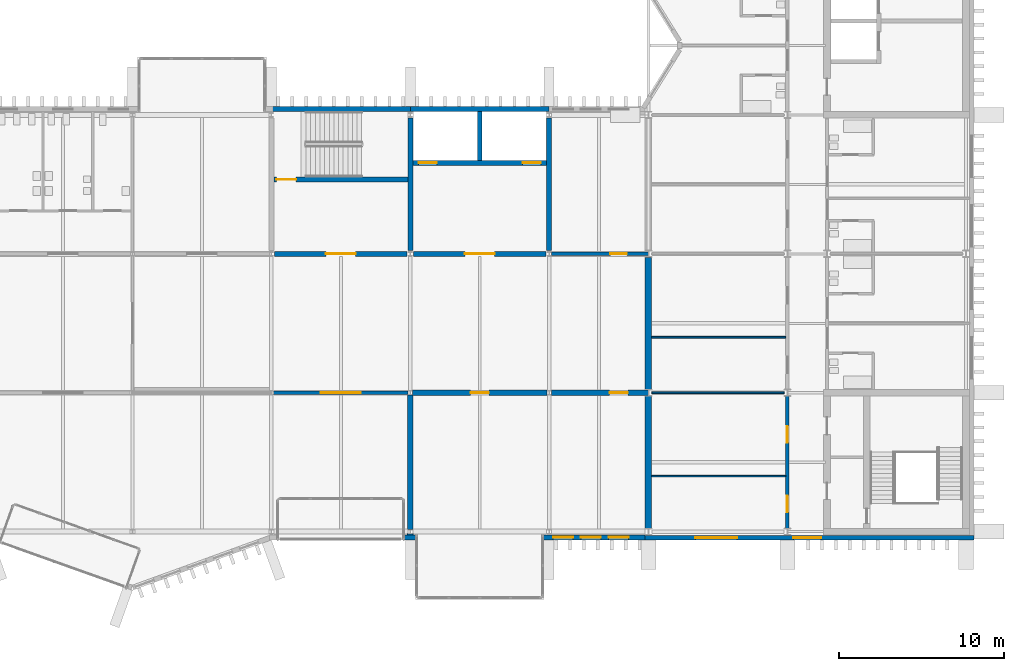
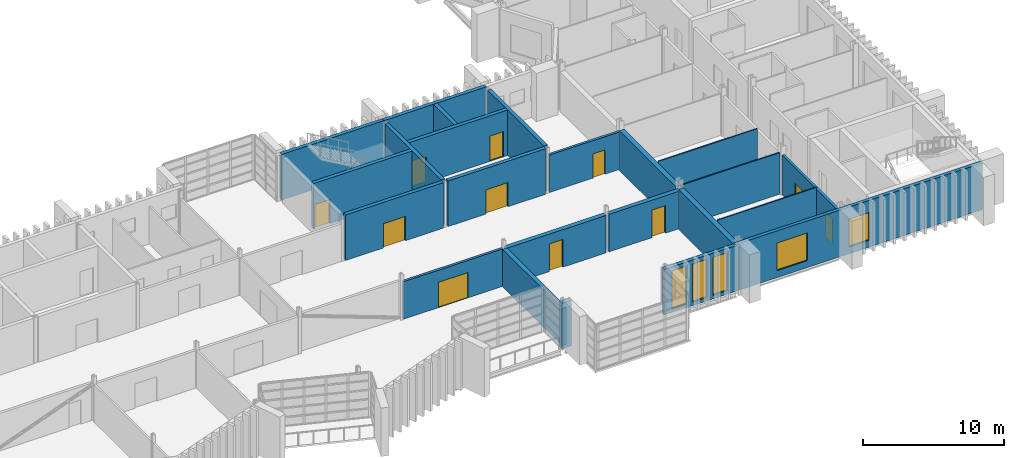
# One storey, part 65 of 88: 24 walls, 11 doors, 5 windows, 16 openings.
"""IFC4 building model written with IfcOpenShell, lengths in metres."""

import ifcopenshell
import ifcopenshell.guid

model = None  # the IFC model being written
_history = None  # IfcOwnerHistory: only IFC2X3 demands one
_inside = {}  # id of a spatial element -> (the spatial element, [elements in it])
_under = {}  # id of a project, library or spatial element -> (it, [spatial elements below it])
_declared = {}  # id of a project -> (the project, [libraries it declares])
_typed = {}  # id of a type object -> (the type object, [elements of that type])
_made_of = {}  # id of a material, layer set ... -> (it, [elements and type objects made of it])


def new_model(schema):
    """Start an empty IFC model of exactly this schema.

    Asked for "IFC4X3", IfcOpenShell would pick the latest addendum, in which some entities
    have other attributes; the version numbers below select the first issue.
    IFC2X3 requires an IfcOwnerHistory on every rooted entity: one is made here for all.
    """
    global model, _history
    if schema == "IFC4X3":
        model = ifcopenshell.file(schema_version=(4, 3, 0, 0))
    else:
        model = ifcopenshell.file(schema=schema)
    _inside.clear()
    _under.clear()
    _declared.clear()
    _typed.clear()
    _made_of.clear()
    _history = None
    if model.schema == "IFC2X3":
        org = make("IfcOrganization", Name="unknown")
        user = make(
            "IfcPersonAndOrganization",
            ThePerson=make("IfcPerson", FamilyName="unknown"),
            TheOrganization=org,
        )
        app = make(
            "IfcApplication",
            ApplicationDeveloper=org,
            Version="unknown",
            ApplicationFullName="unknown",
            ApplicationIdentifier="unknown",
        )
        _history = make(
            "IfcOwnerHistory",
            OwningUser=user,
            OwningApplication=app,
            ChangeAction="ADDED",
            CreationDate=0,
        )
    return model


def make(cls, **values):
    """One entity of the class cls with the attributes given. An attribute that is None is left unset."""
    return model.create_entity(
        cls, **{name: value for name, value in values.items() if value is not None}
    )


def rooted(cls, **values):
    """An entity with a GlobalId (a new one), such as an element, a storey or a relation."""
    return make(cls, GlobalId=ifcopenshell.guid.new(), OwnerHistory=_history, **values)


def si_unit(unit_type, name, prefix=None):
    """IfcSIUnit, for example si_unit("LENGTHUNIT", "METRE", prefix="MILLI")."""
    return make("IfcSIUnit", UnitType=unit_type, Prefix=prefix, Name=name)


def assignment(units):
    """IfcUnitAssignment: the units of a project."""
    return None if units is None else make("IfcUnitAssignment", Units=units)


def point(xyz):
    """IfcCartesianPoint."""
    return None if xyz is None else make("IfcCartesianPoint", Coordinates=xyz)


def direction(xyz):
    """IfcDirection."""
    return None if xyz is None else make("IfcDirection", DirectionRatios=xyz)


def frame(location, z_axis=None, x_axis=None):
    """IfcAxis2Placement3D, a coordinate frame: its origin and axes. An axis left out is left unset."""
    return make(
        "IfcAxis2Placement3D",
        Location=point(location),
        Axis=direction(z_axis),
        RefDirection=direction(x_axis),
    )


def frame_2d(location, x_axis=None):
    """IfcAxis2Placement2D, a coordinate frame in the plane: its origin and x axis."""
    return make(
        "IfcAxis2Placement2D", Location=point(location), RefDirection=direction(x_axis)
    )


def origin():
    """The frame at (0, 0, 0) with its axes left unset."""
    return frame((0.0, 0.0, 0.0))


def place(relative_to, where):
    """IfcLocalPlacement: puts the frame where relative to a parent placement (None: the world)."""
    return make(
        "IfcLocalPlacement", PlacementRelTo=relative_to, RelativePlacement=where
    )


def context(
    kind, dimensions, precision=None, world=None, true_north=None, identifier=None
):
    """IfcGeometricRepresentationContext, for example the 3D "Model" context."""
    return make(
        "IfcGeometricRepresentationContext",
        ContextIdentifier=identifier,
        ContextType=kind,
        CoordinateSpaceDimension=dimensions,
        Precision=precision,
        WorldCoordinateSystem=world,
        TrueNorth=true_north,
    )


def subcontext(parent, identifier, kind, view, scale=None):
    """IfcGeometricRepresentationSubContext, for example "Body" below "Model"."""
    return make(
        "IfcGeometricRepresentationSubContext",
        ContextIdentifier=identifier,
        ContextType=kind,
        ParentContext=parent,
        TargetScale=scale,
        TargetView=view,
    )


def project(units=None, contexts=None):
    """IfcProject with its units and contexts."""
    return rooted(
        "IfcProject",
        Name="project",
        RepresentationContexts=contexts,
        UnitsInContext=assignment(units),
    )


def spatial(cls, under=None, at=None, **own):
    """A site, building, storey or space (cls), placed at a placement, below another one or the project."""
    s = rooted(cls, ObjectPlacement=at, **own)
    if under is not None:
        _under.setdefault(under.id(), (under, []))[1].append(s)
    return s


def profile(cls, at=None, kind="AREA", **sizes):
    """A parametric profile (cls). Its sizes go by their IFC names, for example OverallWidth=200.0."""
    return make(cls, ProfileType=kind, Position=at, **sizes)


def rectangle(**sizes):
    """IfcRectangleProfileDef."""
    return profile("IfcRectangleProfileDef", **sizes)


def extrude(swept, where, along, depth):
    """IfcExtrudedAreaSolid: the profile swept, set in the frame where, extruded along a direction by depth."""
    return make(
        "IfcExtrudedAreaSolid",
        SweptArea=swept,
        Position=where,
        ExtrudedDirection=direction(along),
        Depth=depth,
    )


def shape(context_of_items, identifier, shape_type, items):
    """IfcShapeRepresentation: the items that make up one representation, for example the "Body"."""
    return make(
        "IfcShapeRepresentation",
        ContextOfItems=context_of_items,
        RepresentationIdentifier=identifier,
        RepresentationType=shape_type,
        Items=items,
    )


def material(Name=None, Category=None):
    """IfcMaterial."""
    return make("IfcMaterial", Name=Name, Category=Category)


def layer(
    of_material, thickness, ventilated=None, Name=None, Category=None, Priority=None
):
    """IfcMaterialLayer: one layer of a wall or slab, of a material (None: an air gap)."""
    return make(
        "IfcMaterialLayer",
        Material=of_material,
        LayerThickness=thickness,
        IsVentilated=ventilated,
        Name=Name,
        Category=Category,
        Priority=Priority,
    )


def layer_set(layers, Name=None):
    """IfcMaterialLayerSet."""
    return make("IfcMaterialLayerSet", MaterialLayers=layers, LayerSetName=Name)


def made_of(thing, what):
    """Note that an element or type object is made of a material, layer set ...; save() writes the relation."""
    if what is not None:
        _made_of.setdefault(what.id(), (what, []))[1].append(thing)
    return thing


def type_object(cls, material=None, **own):
    """A type object (cls), such as IfcWallType, which elements share."""
    return made_of(rooted(cls, **own), material)


def element(
    cls,
    number,
    at=None,
    inside=None,
    cuts=None,
    type_object=None,
    material=None,
    context=None,
    identifier="Body",
    shape_type=None,
    held_by="IfcProductDefinitionShape",
    body=None,
    shapes=None,
    **own,
):
    """One element of the class cls, such as IfcWall. Its Tag is "e" and its number.

    at: its placement. inside: the storey or other place that contains it. cuts: it is an
    opening in that element (IfcRelVoidsElement). A single representation is given by context,
    identifier, shape_type and body (its items); several are given by shapes. held_by: the class
    of the entity that holds the representations. save() writes the other relations.
    """
    e = rooted(cls, Tag="e%d" % number, ObjectPlacement=at, **own)
    if body is not None:
        shapes = [shape(context, identifier, shape_type, body)]
    if shapes is not None:
        e.Representation = make(held_by, Representations=shapes)
    if inside is not None:
        _inside.setdefault(inside.id(), (inside, []))[1].append(e)
    if cuts is not None:
        rooted(
            "IfcRelVoidsElement", RelatingBuildingElement=cuts, RelatedOpeningElement=e
        )
    if type_object is not None:
        _typed.setdefault(type_object.id(), (type_object, []))[1].append(e)
    return made_of(e, material)


def fill(opening, filler):
    """IfcRelFillsElement: the door or window that sits in an opening."""
    return rooted(
        "IfcRelFillsElement",
        RelatingOpeningElement=opening,
        RelatedBuildingElement=filler,
    )


def aggregate(whole, parts):
    """IfcRelAggregates: a whole, such as a stair, and the parts it consists of."""
    return rooted("IfcRelAggregates", RelatingObject=whole, RelatedObjects=parts)


def save(model, path):
    """Write the relations noted so far, then the file.

    IfcRelAggregates (storeys below a building ...), IfcRelContainedInSpatialStructure (elements
    in a storey), IfcRelDefinesByType, IfcRelAssociatesMaterial and IfcRelDeclares: one each for
    every whole, place, type object, material and project.
    """
    for whole, parts in _under.values():
        aggregate(whole, parts)
    for where, things in _inside.values():
        rooted(
            "IfcRelContainedInSpatialStructure",
            RelatedElements=things,
            RelatingStructure=where,
        )
    for kind, things in _typed.values():
        rooted("IfcRelDefinesByType", RelatedObjects=things, RelatingType=kind)
    for what, things in _made_of.values():
        rooted("IfcRelAssociatesMaterial", RelatedObjects=things, RelatingMaterial=what)
    for by, libraries in _declared.values():
        rooted("IfcRelDeclares", RelatingContext=by, RelatedDefinitions=libraries)
    model.write(path)


model = new_model("IFC4")

# Units and contexts
model_context = context("Model", 3, precision=1e-05, world=origin(), true_north=direction((0.0, 1.0)))
body_context = subcontext(model_context, "Body", "Model", "MODEL_VIEW")
ifc_project = project(units=[si_unit("LENGTHUNIT", "METRE"), si_unit("AREAUNIT", "SQUARE_METRE"), si_unit("VOLUMEUNIT", "CUBIC_METRE"), si_unit("PLANEANGLEUNIT", "RADIAN"), si_unit("MASSUNIT", "GRAM", prefix="KILO")], contexts=[model_context])

# Site, building, storey
site_placement = place(None, origin())
site = spatial("IfcSite", under=ifc_project, at=site_placement, CompositionType="ELEMENT")
building_placement = place(site_placement, origin())
building = spatial("IfcBuilding", under=site, at=building_placement, Name="Cresset Court Congress Hotel", CompositionType="ELEMENT")
storey_placement = place(building_placement, frame((0.0, 0.0, 14.39990234375)))
storey = spatial("IfcBuildingStorey", under=building, at=storey_placement, Name="L03", CompositionType="ELEMENT", Elevation=14.39990234375)

# Wall, opening, door
ifc_material_1 = material(Name="Double gypsum board leaves on steel studs with mineral wool", Category="steel")
ifc_layer_1 = layer(ifc_material_1, 0.35009765625)
ifc_layer_set_1 = layer_set([ifc_layer_1], Name="Acoustic double-leaf boardroom wall 350")
wall_type_1 = type_object("IfcWallType", Name="Acoustic double-leaf boardroom wall 350", PredefinedType="PARTITIONING", material=ifc_layer_set_1)
wall_1_placement = place(storey_placement, frame((142.925048828125, 8.39990234375, 0.0), z_axis=(0.0, 0.0, 1.0), x_axis=(1.0, 0.0, 0.0)))
wall_1 = element("IfcWall", 1, at=wall_1_placement, inside=storey, type_object=wall_type_1, Name="Boardroom acoustic wall", PredefinedType="PARTITIONING", context=body_context, shape_type="SweptSolid", body=[
    extrude(rectangle(XDim=8.14990234375, YDim=0.35009765625, at=frame_2d((4.074951171875, 0.0))), origin(), (0.0, 0.0, 1.0), 3.25),
])
opening_1_placement = place(wall_1_placement, frame((3.52490234375, 0.0, 0.0)))
opening_1 = element("IfcOpeningElement", 2, at=opening_1_placement, cuts=wall_1, Name="Opening DB-03-15", PredefinedType="OPENING", context=body_context, shape_type="SweptSolid", body=[
    extrude(rectangle(XDim=1.10009765625, YDim=2.39990234375, at=frame_2d((0.550048828125, 1.199951171875))), frame((0.0, 0.18505859375, 0.0), z_axis=(0.0, -1.0, 0.0), x_axis=(1.0, 0.0, 0.0)), (0.0, 0.0, 1.0), 0.3701171875),
])
ifc_material_2 = material(Name="Solid-core timber with acoustic seals", Category="wood")
door_type_1 = type_object("IfcDoorType", Name="Boardroom acoustic door FD30 1100x2400", OperationType="SINGLE_SWING_LEFT", PredefinedType="DOOR", material=ifc_material_2)
door_1_placement = place(opening_1_placement, origin())
door_1 = element("IfcDoor", 3, at=door_1_placement, inside=storey, type_object=door_type_1, Name="Boardroom door", OperationType="SINGLE_SWING_LEFT", OverallHeight=2.39990234375, OverallWidth=1.10009765625, PredefinedType="DOOR", context=body_context, shape_type="SweptSolid", body=[
    extrude(rectangle(XDim=1.10009765625, YDim=2.39990234375, at=frame_2d((0.550048828125, 1.199951171875))), frame((0.0, 0.02490234375, 0.0), z_axis=(0.0, -1.0, 0.0), x_axis=(1.0, 0.0, 0.0)), (0.0, 0.0, 1.0), 0.050048828125),
])
fill(opening_1, door_1)

wall_2_placement = place(storey_placement, frame((151.324951171875, 8.39990234375, 0.0), z_axis=(0.0, 0.0, 1.0), x_axis=(1.0, 0.0, 0.0)))
wall_2 = element("IfcWall", 4, at=wall_2_placement, inside=storey, type_object=wall_type_1, Name="Boardroom acoustic wall", PredefinedType="PARTITIONING", context=body_context, shape_type="SweptSolid", body=[
    extrude(rectangle(XDim=5.875, YDim=0.35009765625, at=frame_2d((2.9375, 0.0))), origin(), (0.0, 0.0, 1.0), 3.25),
])
opening_2_placement = place(wall_2_placement, frame((3.52490234375, 0.0, 0.0)))
opening_2 = element("IfcOpeningElement", 5, at=opening_2_placement, cuts=wall_2, Name="Opening DB-03-16", PredefinedType="OPENING", context=body_context, shape_type="SweptSolid", body=[
    extrude(rectangle(XDim=1.10009765625, YDim=2.39990234375, at=frame_2d((0.550048828125, 1.199951171875))), frame((0.0, 0.18505859375, 0.0), z_axis=(0.0, -1.0, 0.0), x_axis=(1.0, 0.0, 0.0)), (0.0, 0.0, 1.0), 0.3701171875),
])
door_2_placement = place(opening_2_placement, origin())
door_2 = element("IfcDoor", 6, at=door_2_placement, inside=storey, type_object=door_type_1, Name="Boardroom door", OperationType="SINGLE_SWING_LEFT", OverallHeight=2.39990234375, OverallWidth=1.10009765625, PredefinedType="DOOR", context=body_context, shape_type="SweptSolid", body=[
    extrude(rectangle(XDim=1.10009765625, YDim=2.39990234375, at=frame_2d((0.550048828125, 1.199951171875))), frame((0.0, 0.02490234375, 0.0), z_axis=(0.0, -1.0, 0.0), x_axis=(1.0, 0.0, 0.0)), (0.0, 0.0, 1.0), 0.050048828125),
])
fill(opening_2, door_2)

# Walls
wall_3_placement = place(storey_placement, frame((142.800048828125, -0.199951171875, 0.0), z_axis=(0.0, 0.0, 1.0), x_axis=(0.0, 1.0, 0.0)))
element("IfcWall", 7, at=wall_3_placement, inside=storey, type_object=wall_type_1, Name="Boardroom acoustic wall", PredefinedType="PARTITIONING", context=body_context, shape_type="SweptSolid", body=[
    extrude(rectangle(XDim=0.074951171875, YDim=0.35009765625, at=frame_2d((0.03759765625, 0.0))), origin(), (0.0, 0.0, 1.0), 3.25),
])
wall_4_placement = place(storey_placement, frame((142.800048828125, 0.125, 0.0), z_axis=(0.0, 0.0, 1.0), x_axis=(0.0, 1.0, 0.0)))
element("IfcWall", 8, at=wall_4_placement, inside=storey, type_object=wall_type_1, Name="Boardroom acoustic wall", PredefinedType="PARTITIONING", context=body_context, shape_type="SweptSolid", body=[
    extrude(rectangle(XDim=8.14990234375, YDim=0.35009765625, at=frame_2d((4.074951171875, 0.0))), origin(), (0.0, 0.0, 1.0), 3.25),
])
ifc_material_3 = material(Name="Concrete C50", Category="concrete")
ifc_layer_2 = layer(ifc_material_3, 0.300048828125)
ifc_layer_set_2 = layer_set([ifc_layer_2], Name="Core wall 300 Concrete C50")
wall_type_2 = type_object("IfcWallType", Name="Core wall 300 Concrete C50", PredefinedType="SHEAR", material=ifc_layer_set_2)
for number, where, z_axis, x_axis, name in (
    (9, (142.800048828125, 17.0, 0.0), (0.0, 0.0, 1.0), (0.0, 1.0, 0.0), "Core wall LC-B3"),
    (10, (151.199951171875, 17.0, 0.0), (0.0, 0.0, 1.0), (0.0, 1.0, 0.0), "Core wall LC-B3"),
):
    element("IfcWall", number, at=place(storey_placement, frame(where, z_axis=z_axis, x_axis=x_axis)), inside=storey, type_object=wall_type_2, Name=name, PredefinedType="SHEAR", context=body_context, shape_type="SweptSolid", body=[
        extrude(rectangle(XDim=8.0, YDim=0.300048828125, at=frame_2d((4.0, 0.0))), origin(), (0.0, 0.0, 1.0), 3.9501953125),
    ])

# Wall, opening, door
wall_5_placement = place(storey_placement, frame((143.0, 16.800048828125, 0.0), z_axis=(0.0, 0.0, 1.0), x_axis=(1.0, 0.0, 0.0)))
wall_5 = element("IfcWall", 11, at=wall_5_placement, inside=storey, type_object=wall_type_2, Name="Core wall LC-B3", PredefinedType="SHEAR", context=body_context, shape_type="SweptSolid", body=[
    extrude(rectangle(XDim=8.0, YDim=0.300048828125, at=frame_2d((4.0, 0.0))), origin(), (0.0, 0.0, 1.0), 3.9501953125),
])
opening_3_placement = place(wall_5_placement, frame((3.10009765625, 0.0, 0.0)))
opening_3 = element("IfcOpeningElement", 12, at=opening_3_placement, cuts=wall_5, Name="Opening DB-03-41", PredefinedType="OPENING", context=body_context, shape_type="SweptSolid", body=[
    extrude(rectangle(XDim=1.800048828125, YDim=2.10009765625, at=frame_2d((0.89990234375, 1.050048828125))), frame((0.0, 0.159912109375, 0.0), z_axis=(0.0, -1.0, 0.0), x_axis=(1.0, 0.0, 0.0)), (0.0, 0.0, 1.0), 0.320068359375),
])
ifc_material_4 = material(Name="Timber and steel frame", Category="steel")
door_type_2 = type_object("IfcDoorType", Name="Lobby fire door FD60 double 1800x2100", OperationType="DOUBLE_DOOR_SINGLE_SWING", PredefinedType="DOOR", material=ifc_material_4)
door_3_placement = place(opening_3_placement, origin())
door_3 = element("IfcDoor", 13, at=door_3_placement, inside=storey, type_object=door_type_2, Name="Lift lobby door LC-B3", OperationType="DOUBLE_DOOR_SINGLE_SWING", OverallHeight=2.10009765625, OverallWidth=1.800048828125, PredefinedType="DOOR", context=body_context, shape_type="SweptSolid", body=[
    extrude(rectangle(XDim=1.800048828125, YDim=2.10009765625, at=frame_2d((0.89990234375, 1.050048828125))), frame((0.0, 0.02490234375, 0.0), z_axis=(0.0, -1.0, 0.0), x_axis=(1.0, 0.0, 0.0)), (0.0, 0.0, 1.0), 0.050048828125),
])
fill(opening_3, door_3)

# Wall, openings, doors
wall_6_placement = place(storey_placement, frame((142.949951171875, 22.300048828125, 0.0), z_axis=(0.0, 0.0, 1.0), x_axis=(1.0, 0.0, 0.0)))
wall_6 = element("IfcWall", 14, at=wall_6_placement, inside=storey, type_object=wall_type_2, Name="Core wall LC-B3", PredefinedType="SHEAR", context=body_context, shape_type="SweptSolid", body=[
    extrude(rectangle(XDim=8.10009765625, YDim=0.300048828125, at=frame_2d((4.050048828125, 0.0))), origin(), (0.0, 0.0, 1.0), 3.9501953125),
])
opening_4_placement = place(wall_6_placement, frame((0.35009765625, 0.0, 0.0)))
opening_4 = element("IfcOpeningElement", 15, at=opening_4_placement, cuts=wall_6, Name="Opening LD-B3-09", PredefinedType="OPENING", context=body_context, shape_type="SweptSolid", body=[
    extrude(rectangle(XDim=1.10009765625, YDim=2.199951171875, at=frame_2d((0.550048828125, 1.10009765625))), frame((0.0, 0.159912109375, 0.0), z_axis=(0.0, -1.0, 0.0), x_axis=(1.0, 0.0, 0.0)), (0.0, 0.0, 1.0), 0.320068359375),
])
opening_5_placement = place(wall_6_placement, frame((6.64990234375, 0.0, 0.0)))
opening_5 = element("IfcOpeningElement", 16, at=opening_5_placement, cuts=wall_6, Name="Opening LD-B3-10", PredefinedType="OPENING", context=body_context, shape_type="SweptSolid", body=[
    extrude(rectangle(XDim=1.10009765625, YDim=2.199951171875, at=frame_2d((0.550048828125, 1.10009765625))), frame((0.0, 0.159912109375, 0.0), z_axis=(0.0, -1.0, 0.0), x_axis=(1.0, 0.0, 0.0)), (0.0, 0.0, 1.0), 0.320068359375),
])
ifc_material_5 = material(Name="Stainless steel", Category="steel")
door_type_3 = type_object("IfcDoorType", Name="Lift landing door sliding 1100x2200", OperationType="SLIDING_TO_LEFT", PredefinedType="DOOR", material=ifc_material_5)
door_4_placement = place(opening_4_placement, origin())
door_4 = element("IfcDoor", 17, at=door_4_placement, inside=storey, type_object=door_type_3, Name="Lift landing door LD-B3-09", OperationType="SLIDING_TO_LEFT", OverallHeight=2.199951171875, OverallWidth=1.10009765625, PredefinedType="DOOR", context=body_context, shape_type="SweptSolid", body=[
    extrude(rectangle(XDim=1.10009765625, YDim=2.199951171875, at=frame_2d((0.550048828125, 1.10009765625))), frame((0.0, 0.02490234375, 0.0), z_axis=(0.0, -1.0, 0.0), x_axis=(1.0, 0.0, 0.0)), (0.0, 0.0, 1.0), 0.050048828125),
])
fill(opening_4, door_4)
door_5_placement = place(opening_5_placement, origin())
door_5 = element("IfcDoor", 18, at=door_5_placement, inside=storey, type_object=door_type_3, Name="Lift landing door LD-B3-10", OperationType="SLIDING_TO_LEFT", OverallHeight=2.199951171875, OverallWidth=1.10009765625, PredefinedType="DOOR", context=body_context, shape_type="SweptSolid", body=[
    extrude(rectangle(XDim=1.10009765625, YDim=2.199951171875, at=frame_2d((0.550048828125, 1.10009765625))), frame((0.0, 0.02490234375, 0.0), z_axis=(0.0, -1.0, 0.0), x_axis=(1.0, 0.0, 0.0)), (0.0, 0.0, 1.0), 0.050048828125),
])
fill(opening_5, door_5)

# Wall
wall_7_placement = place(storey_placement, frame((147.0, 22.449951171875, 0.0), z_axis=(0.0, 0.0, 1.0), x_axis=(0.0, 1.0, 0.0)))
element("IfcWall", 19, at=wall_7_placement, inside=storey, type_object=wall_type_2, Name="Core wall LC-B3", PredefinedType="SHEAR", context=body_context, shape_type="SweptSolid", body=[
    extrude(rectangle(XDim=2.949951171875, YDim=0.300048828125, at=frame_2d((1.47509765625, 0.0))), origin(), (0.0, 0.0, 1.0), 3.9501953125),
])

# Wall, opening, door
wall_8_placement = place(storey_placement, frame((134.60009765625, 16.800048828125, 0.0), z_axis=(0.0, 0.0, 1.0), x_axis=(1.0, 0.0, 0.0)))
wall_8 = element("IfcWall", 20, at=wall_8_placement, inside=storey, type_object=wall_type_2, Name="Core wall ST-B5", PredefinedType="SHEAR", context=body_context, shape_type="SweptSolid", body=[
    extrude(rectangle(XDim=8.0, YDim=0.300048828125, at=frame_2d((4.0, 0.0))), origin(), (0.0, 0.0, 1.0), 3.9501953125),
])
opening_6_placement = place(wall_8_placement, frame((3.10009765625, 0.0, 0.0)))
opening_6 = element("IfcOpeningElement", 21, at=opening_6_placement, cuts=wall_8, Name="Opening DB-03-53", PredefinedType="OPENING", context=body_context, shape_type="SweptSolid", body=[
    extrude(rectangle(XDim=1.800048828125, YDim=2.10009765625, at=frame_2d((0.89990234375, 1.050048828125))), frame((0.0, 0.159912109375, 0.0), z_axis=(0.0, -1.0, 0.0), x_axis=(1.0, 0.0, 0.0)), (0.0, 0.0, 1.0), 0.320068359375),
])
door_6_placement = place(opening_6_placement, origin())
door_6 = element("IfcDoor", 22, at=door_6_placement, inside=storey, type_object=door_type_2, Name="Stair lobby door ST-B5", OperationType="DOUBLE_DOOR_SINGLE_SWING", OverallHeight=2.10009765625, OverallWidth=1.800048828125, PredefinedType="DOOR", context=body_context, shape_type="SweptSolid", body=[
    extrude(rectangle(XDim=1.800048828125, YDim=2.10009765625, at=frame_2d((0.89990234375, 1.050048828125))), frame((0.0, 0.02490234375, 0.0), z_axis=(0.0, -1.0, 0.0), x_axis=(1.0, 0.0, 0.0)), (0.0, 0.0, 1.0), 0.050048828125),
])
fill(opening_6, door_6)

wall_9_placement = place(storey_placement, frame((134.550048828125, 21.300048828125, 0.0), z_axis=(0.0, 0.0, 1.0), x_axis=(1.0, 0.0, 0.0)))
wall_9 = element("IfcWall", 23, at=wall_9_placement, inside=storey, type_object=wall_type_2, Name="Core wall ST-B5", PredefinedType="SHEAR", context=body_context, shape_type="SweptSolid", body=[
    extrude(rectangle(XDim=8.099853515625, YDim=0.300048828125, at=frame_2d((4.0498046875, 0.0))), origin(), (0.0, 0.0, 1.0), 3.9501953125),
])
opening_7_placement = place(wall_9_placement, frame((0.14990234375, 0.0, 0.0)))
opening_7 = element("IfcOpeningElement", 24, at=opening_7_placement, cuts=wall_9, Name="Opening DB-03-52", PredefinedType="OPENING", context=body_context, shape_type="SweptSolid", body=[
    extrude(rectangle(XDim=1.199951171875, YDim=2.10009765625, at=frame_2d((0.60009765625, 1.050048828125))), frame((0.0, 0.159912109375, 0.0), z_axis=(0.0, -1.0, 0.0), x_axis=(1.0, 0.0, 0.0)), (0.0, 0.0, 1.0), 0.320068359375),
])
ifc_material_6 = material(Name="Timber and steel frame", Category="steel")
door_type_4 = type_object("IfcDoorType", Name="Stair fire door FD60 1200x2100", OperationType="SINGLE_SWING_LEFT", PredefinedType="DOOR", material=ifc_material_6)
door_7_placement = place(opening_7_placement, origin())
door_7 = element("IfcDoor", 25, at=door_7_placement, inside=storey, type_object=door_type_4, Name="Stair door ST-B5", OperationType="SINGLE_SWING_LEFT", OverallHeight=2.10009765625, OverallWidth=1.199951171875, PredefinedType="DOOR", context=body_context, shape_type="SweptSolid", body=[
    extrude(rectangle(XDim=1.199951171875, YDim=2.10009765625, at=frame_2d((0.60009765625, 1.050048828125))), frame((0.0, 0.02490234375, 0.0), z_axis=(0.0, -1.0, 0.0), x_axis=(1.0, 0.0, 0.0)), (0.0, 0.0, 1.0), 0.050048828125),
])
fill(opening_7, door_7)

# Walls
ifc_material_7 = material(Name="Concrete C50", Category="concrete")
ifc_layer_3 = layer(ifc_material_7, 0.300048828125)
ifc_layer_set_3 = layer_set([ifc_layer_3], Name="Core wall 300 Concrete C50 external")
wall_type_3 = type_object("IfcWallType", Name="Core wall 300 Concrete C50 external", PredefinedType="SHEAR", material=ifc_layer_set_3)
wall_10_placement = place(storey_placement, frame((142.800048828125, 25.550048828125, 0.0), z_axis=(0.0, 0.0, 1.0), x_axis=(1.0, 0.0, 0.0)))
element("IfcWall", 26, at=wall_10_placement, inside=storey, type_object=wall_type_3, Name="Core wall LC-B3", PredefinedType="SHEAR", context=body_context, shape_type="SweptSolid", body=[
    extrude(rectangle(XDim=8.39990234375, YDim=0.300048828125, at=frame_2d((4.199951171875, 0.0))), origin(), (0.0, 0.0, 1.0), 3.9501953125),
])
wall_11_placement = place(storey_placement, frame((134.39990234375, 25.550048828125, 0.0), z_axis=(0.0, 0.0, 1.0), x_axis=(1.0, 0.0, 0.0)))
element("IfcWall", 27, at=wall_11_placement, inside=storey, type_object=wall_type_3, Name="Core wall ST-B5", PredefinedType="SHEAR", context=body_context, shape_type="SweptSolid", body=[
    extrude(rectangle(XDim=8.400146484375, YDim=0.300048828125, at=frame_2d((4.2001953125, 0.0))), origin(), (0.0, 0.0, 1.0), 3.9501953125),
])

# Wall, openings, doors
ifc_material_8 = material(Name="Gypsum board partition")
ifc_layer_4 = layer(ifc_material_8, 0.199951171875)
ifc_layer_set_4 = layer_set([ifc_layer_4], Name="Corridor wall 200")
wall_type_4 = type_object("IfcWallType", Name="Corridor wall 200", PredefinedType="PARTITIONING", material=ifc_layer_set_4)
wall_12_placement = place(storey_placement, frame((165.60009765625, 0.20703125, 0.0), z_axis=(0.0, 0.0, 1.0), x_axis=(0.0, 1.0, 0.0)))
wall_12 = element("IfcWall", 28, at=wall_12_placement, inside=storey, type_object=wall_type_4, Name="A.wl.L03.061", PredefinedType="PARTITIONING", context=body_context, shape_type="SweptSolid", body=[
    extrude(rectangle(XDim=7.986083984375, YDim=0.199951171875, at=frame_2d((3.9931640625, 0.0))), origin(), (0.0, 0.0, 1.0), 3.4501953125),
])
opening_8_placement = place(wall_12_placement, frame((0.972900390625, 0.0, 0.0)))
opening_8 = element("IfcOpeningElement", 29, at=opening_8_placement, cuts=wall_12, Name="Opening DA-03-01", PredefinedType="OPENING", context=body_context, shape_type="SweptSolid", body=[
    extrude(rectangle(XDim=1.0, YDim=2.10009765625, at=frame_2d((0.5, 1.050048828125))), frame((0.0, 0.10986328125, 0.0), z_axis=(0.0, -1.0, 0.0), x_axis=(1.0, 0.0, 0.0)), (0.0, 0.0, 1.0), 0.219970703125),
])
opening_9_placement = place(wall_12_placement, frame((5.173095703125, 0.0, 0.0)))
opening_9 = element("IfcOpeningElement", 30, at=opening_9_placement, cuts=wall_12, Name="Opening DA-03-02", PredefinedType="OPENING", context=body_context, shape_type="SweptSolid", body=[
    extrude(rectangle(XDim=1.0, YDim=2.10009765625, at=frame_2d((0.5, 1.050048828125))), frame((0.0, 0.10986328125, 0.0), z_axis=(0.0, -1.0, 0.0), x_axis=(1.0, 0.0, 0.0)), (0.0, 0.0, 1.0), 0.219970703125),
])
ifc_material_9 = material(Name="timber", Category="wood")
door_type_5 = type_object("IfcDoorType", Name="Meeting-room door 1000x2100 FD90", OperationType="SINGLE_SWING_LEFT", PredefinedType="DOOR", material=ifc_material_9)
door_8_placement = place(opening_8_placement, origin())
door_8 = element("IfcDoor", 31, at=door_8_placement, inside=storey, type_object=door_type_5, Name="Door DA-03-01", OperationType="SINGLE_SWING_LEFT", OverallHeight=2.10009765625, OverallWidth=1.0, PredefinedType="DOOR", context=body_context, shape_type="SweptSolid", body=[
    extrude(rectangle(XDim=1.0, YDim=2.10009765625, at=frame_2d((0.5, 1.050048828125))), frame((0.0, 0.02490234375, 0.0), z_axis=(0.0, -1.0, 0.0), x_axis=(1.0, 0.0, 0.0)), (0.0, 0.0, 1.0), 0.050048828125),
])
fill(opening_8, door_8)
door_9_placement = place(opening_9_placement, origin())
door_9 = element("IfcDoor", 32, at=door_9_placement, inside=storey, type_object=door_type_5, Name="Door DA-03-02", OperationType="SINGLE_SWING_RIGHT", OverallHeight=2.10009765625, OverallWidth=1.0, PredefinedType="DOOR", context=body_context, shape_type="SweptSolid", body=[
    extrude(rectangle(XDim=1.0, YDim=2.10009765625, at=frame_2d((0.5, 1.050048828125))), frame((0.0, 0.02490234375, 0.0), z_axis=(0.0, -1.0, 0.0), x_axis=(1.0, 0.0, 0.0)), (0.0, 0.0, 1.0), 0.050048828125),
])
fill(opening_9, door_9)

# Wall
ifc_material_10 = material(Name="Concrete C40", Category="concrete")
ifc_layer_5 = layer(ifc_material_10, 0.300048828125)
ifc_layer_set_5 = layer_set([ifc_layer_5], Name="External wall 300 Concrete C40")
wall_type_5 = type_object("IfcWallType", Name="External wall 300 Concrete C40", PredefinedType="SOLIDWALL", material=ifc_layer_set_5)
wall_13_placement = place(storey_placement, frame((142.39990234375, -0.35009765625, 0.0), z_axis=(0.0, 0.0, 1.0), x_axis=(1.0, 0.0, 0.0)))
element("IfcWall", 33, at=wall_13_placement, inside=storey, type_object=wall_type_5, Name="External wall", PredefinedType="SOLIDWALL", context=body_context, shape_type="SweptSolid", body=[
    extrude(rectangle(XDim=0.800048828125, YDim=0.300048828125, at=frame_2d((0.39990234375, 0.0))), origin(), (0.0, 0.0, 1.0), 3.9501953125),
])

# Wall, openings, windows
wall_14_placement = place(storey_placement, frame((150.800048828125, -0.35009765625, 0.0), z_axis=(0.0, 0.0, 1.0), x_axis=(1.0, 0.0, 0.0)))
wall_14 = element("IfcWall", 34, at=wall_14_placement, inside=storey, type_object=wall_type_5, Name="External wall", PredefinedType="SOLIDWALL", context=body_context, shape_type="SweptSolid", body=[
    extrude(rectangle(XDim=6.199951171875, YDim=0.300048828125, at=frame_2d((3.10009765625, 0.0))), origin(), (0.0, 0.0, 1.0), 3.9501953125),
])
opening_10_placement = place(wall_14_placement, frame((0.639892578125, 0.0, 0.300048828125)))
opening_10 = element("IfcOpeningElement", 35, at=opening_10_placement, cuts=wall_14, Name="Opening NB-03-11", PredefinedType="OPENING", context=body_context, shape_type="SweptSolid", body=[
    extrude(rectangle(XDim=1.199951171875, YDim=3.300048828125, at=frame_2d((0.60009765625, 1.64990234375))), frame((0.0, 0.159912109375, 0.0), z_axis=(0.0, -1.0, 0.0), x_axis=(1.0, 0.0, 0.0)), (0.0, 0.0, 1.0), 0.320068359375),
])
opening_11_placement = place(wall_14_placement, frame((2.320068359375, 0.0, 0.300048828125)))
opening_11 = element("IfcOpeningElement", 36, at=opening_11_placement, cuts=wall_14, Name="Opening NB-03-12", PredefinedType="OPENING", context=body_context, shape_type="SweptSolid", body=[
    extrude(rectangle(XDim=1.199951171875, YDim=3.300048828125, at=frame_2d((0.60009765625, 1.64990234375))), frame((0.0, 0.159912109375, 0.0), z_axis=(0.0, -1.0, 0.0), x_axis=(1.0, 0.0, 0.0)), (0.0, 0.0, 1.0), 0.320068359375),
])
opening_12_placement = place(wall_14_placement, frame((4.0, 0.0, 0.300048828125)))
opening_12 = element("IfcOpeningElement", 37, at=opening_12_placement, cuts=wall_14, Name="Opening NB-03-13", PredefinedType="OPENING", context=body_context, shape_type="SweptSolid", body=[
    extrude(rectangle(XDim=1.199951171875, YDim=3.300048828125, at=frame_2d((0.60009765625, 1.64990234375))), frame((0.0, 0.159912109375, 0.0), z_axis=(0.0, -1.0, 0.0), x_axis=(1.0, 0.0, 0.0)), (0.0, 0.0, 1.0), 0.320068359375),
])
ifc_material_11 = material(Name="Aluminium frame with double glazing", Category="aluminium")
window_type_1 = type_object("IfcWindowType", Name="Window 1200x3300", PartitioningType="TRIPLE_PANEL_VERTICAL", PredefinedType="WINDOW", material=ifc_material_11)
window_1_placement = place(opening_10_placement, origin())
window_1 = element("IfcWindow", 38, at=window_1_placement, inside=storey, type_object=window_type_1, Name="Window NB-03-11", OverallHeight=3.300048828125, OverallWidth=1.199951171875, PartitioningType="TRIPLE_PANEL_VERTICAL", PredefinedType="WINDOW", context=body_context, shape_type="SweptSolid", body=[
    extrude(rectangle(XDim=1.199951171875, YDim=3.300048828125, at=frame_2d((0.60009765625, 1.64990234375))), frame((0.0, 0.030029296875, 0.0), z_axis=(0.0, -1.0, 0.0), x_axis=(1.0, 0.0, 0.0)), (0.0, 0.0, 1.0), 0.06005859375),
])
fill(opening_10, window_1)
window_2_placement = place(opening_11_placement, origin())
window_2 = element("IfcWindow", 39, at=window_2_placement, inside=storey, type_object=window_type_1, Name="Window NB-03-12", OverallHeight=3.300048828125, OverallWidth=1.199951171875, PartitioningType="TRIPLE_PANEL_VERTICAL", PredefinedType="WINDOW", context=body_context, shape_type="SweptSolid", body=[
    extrude(rectangle(XDim=1.199951171875, YDim=3.300048828125, at=frame_2d((0.60009765625, 1.64990234375))), frame((0.0, 0.030029296875, 0.0), z_axis=(0.0, -1.0, 0.0), x_axis=(1.0, 0.0, 0.0)), (0.0, 0.0, 1.0), 0.06005859375),
])
fill(opening_11, window_2)
window_3_placement = place(opening_12_placement, origin())
window_3 = element("IfcWindow", 40, at=window_3_placement, inside=storey, type_object=window_type_1, Name="Window NB-03-13", OverallHeight=3.300048828125, OverallWidth=1.199951171875, PartitioningType="TRIPLE_PANEL_VERTICAL", PredefinedType="WINDOW", context=body_context, shape_type="SweptSolid", body=[
    extrude(rectangle(XDim=1.199951171875, YDim=3.300048828125, at=frame_2d((0.60009765625, 1.64990234375))), frame((0.0, 0.030029296875, 0.0), z_axis=(0.0, -1.0, 0.0), x_axis=(1.0, 0.0, 0.0)), (0.0, 0.0, 1.0), 0.06005859375),
])
fill(opening_12, window_3)

# Wall, opening, door
ifc_material_12 = material(Name="Gypsum board on steel studs", Category="steel")
ifc_layer_6 = layer(ifc_material_12, 0.199951171875)
ifc_layer_set_6 = layer_set([ifc_layer_6], Name="Foyer wall 200")
wall_type_6 = type_object("IfcWallType", Name="Foyer wall 200", PredefinedType="PARTITIONING", material=ifc_layer_set_6)
wall_15_placement = place(storey_placement, frame((134.52490234375, 8.39990234375, 0.0), z_axis=(0.0, 0.0, 1.0), x_axis=(1.0, 0.0, 0.0)))
wall_15 = element("IfcWall", 41, at=wall_15_placement, inside=storey, type_object=wall_type_6, Name="Foyer wall", PredefinedType="PARTITIONING", context=body_context, shape_type="SweptSolid", body=[
    extrude(rectangle(XDim=8.150146484375, YDim=0.199951171875, at=frame_2d((4.0751953125, 0.0))), origin(), (0.0, 0.0, 1.0), 3.25),
])
opening_13_placement = place(wall_15_placement, frame((2.875, 0.0, 0.0)))
opening_13 = element("IfcOpeningElement", 42, at=opening_13_placement, cuts=wall_15, Name="Opening DB-03-14", PredefinedType="OPENING", context=body_context, shape_type="SweptSolid", body=[
    extrude(rectangle(XDim=2.39990234375, YDim=2.199951171875, at=frame_2d((1.199951171875, 1.10009765625))), frame((0.0, 0.10986328125, 0.0), z_axis=(0.0, -1.0, 0.0), x_axis=(1.0, 0.0, 0.0)), (0.0, 0.0, 1.0), 0.219970703125),
])
ifc_material_13 = material(Name="Timber and steel frame", Category="steel")
door_type_6 = type_object("IfcDoorType", Name="Fire door FD30 double 2400x2200", OperationType="DOUBLE_DOOR_SINGLE_SWING", PredefinedType="DOOR", material=ifc_material_13)
door_10_placement = place(opening_13_placement, origin())
door_10 = element("IfcDoor", 43, at=door_10_placement, inside=storey, type_object=door_type_6, Name="Meeting Room door", OperationType="DOUBLE_DOOR_SINGLE_SWING", OverallHeight=2.199951171875, OverallWidth=2.39990234375, PredefinedType="DOOR", context=body_context, shape_type="SweptSolid", body=[
    extrude(rectangle(XDim=2.39990234375, YDim=2.199951171875, at=frame_2d((1.199951171875, 1.10009765625))), frame((0.0, 0.02490234375, 0.0), z_axis=(0.0, -1.0, 0.0), x_axis=(1.0, 0.0, 0.0)), (0.0, 0.0, 1.0), 0.050048828125),
])
fill(opening_13, door_10)

wall_16_placement = place(storey_placement, frame((151.324951171875, 16.800048828125, 0.0), z_axis=(0.0, 0.0, 1.0), x_axis=(1.0, 0.0, 0.0)))
wall_16 = element("IfcWall", 44, at=wall_16_placement, inside=storey, type_object=wall_type_6, Name="Foyer wall", PredefinedType="PARTITIONING", context=body_context, shape_type="SweptSolid", body=[
    extrude(rectangle(XDim=5.875, YDim=0.199951171875, at=frame_2d((2.9375, 0.0))), origin(), (0.0, 0.0, 1.0), 3.25),
])
opening_14_placement = place(wall_16_placement, frame((3.574951171875, 0.0, 0.0)))
opening_14 = element("IfcOpeningElement", 45, at=opening_14_placement, cuts=wall_16, Name="Opening DB-03-26", PredefinedType="OPENING", context=body_context, shape_type="SweptSolid", body=[
    extrude(rectangle(XDim=1.0, YDim=2.10009765625, at=frame_2d((0.5, 1.050048828125))), frame((0.0, 0.10986328125, 0.0), z_axis=(0.0, -1.0, 0.0), x_axis=(1.0, 0.0, 0.0)), (0.0, 0.0, 1.0), 0.219970703125),
])
ifc_material_14 = material(Name="Timber and steel frame", Category="steel")
door_type_7 = type_object("IfcDoorType", Name="Fire door FD30 single 1000x2100", OperationType="SINGLE_SWING_LEFT", PredefinedType="DOOR", material=ifc_material_14)
door_11_placement = place(opening_14_placement, origin())
door_11 = element("IfcDoor", 46, at=door_11_placement, inside=storey, type_object=door_type_7, Name="Storage door", OperationType="SINGLE_SWING_LEFT", OverallHeight=2.10009765625, OverallWidth=1.0, PredefinedType="DOOR", context=body_context, shape_type="SweptSolid", body=[
    extrude(rectangle(XDim=1.0, YDim=2.10009765625, at=frame_2d((0.5, 1.050048828125))), frame((0.0, 0.02490234375, 0.0), z_axis=(0.0, -1.0, 0.0), x_axis=(1.0, 0.0, 0.0)), (0.0, 0.0, 1.0), 0.050048828125),
])
fill(opening_14, door_11)

# Wall, openings, windows
ifc_material_15 = material(Name="Precast concrete C50", Category="concrete")
ifc_layer_7 = layer(ifc_material_15, 0.280029296875)
ifc_layer_set_7 = layer_set([ifc_layer_7], Name="Gable end wall 280")
wall_type_7 = type_object("IfcWallType", Name="Gable end wall 280", PredefinedType="SOLIDWALL", material=ifc_layer_set_7)
wall_17_placement = place(storey_placement, frame((156.699951171875, -0.360107421875, 0.0), z_axis=(0.0, 0.0, 1.0), x_axis=(1.0, 0.0, 0.0)))
wall_17 = element("IfcWall", 47, at=wall_17_placement, inside=storey, type_object=wall_type_7, Name="A.ew.L03.S.1", PredefinedType="SOLIDWALL", context=body_context, shape_type="SweptSolid", body=[
    extrude(rectangle(XDim=20.199951171875, YDim=0.280029296875, at=frame_2d((10.10009765625, 0.0))), origin(), (0.0, 0.0, 1.0), 4.050048828125),
])
opening_15_placement = place(wall_17_placement, frame((9.260009765625, 0.0, 0.60009765625)))
opening_15 = element("IfcOpeningElement", 48, at=opening_15_placement, cuts=wall_17, Name="Opening NA-03-19", PredefinedType="OPENING", context=body_context, shape_type="SweptSolid", body=[
    extrude(rectangle(XDim=1.679931640625, YDim=2.39990234375, at=frame_2d((0.83984375, 1.199951171875))), frame((0.0, 0.14990234375, 0.0), z_axis=(0.0, -1.0, 0.0), x_axis=(1.0, 0.0, 0.0)), (0.0, 0.0, 1.0), 0.300048828125),
])
opening_16_placement = place(wall_17_placement, frame((3.340087890625, 0.0, 0.60009765625)))
opening_16 = element("IfcOpeningElement", 49, at=opening_16_placement, cuts=wall_17, Name="Opening NA-03-20", PredefinedType="OPENING", context=body_context, shape_type="SweptSolid", body=[
    extrude(rectangle(XDim=2.52001953125, YDim=2.39990234375, at=frame_2d((1.260009765625, 1.199951171875))), frame((0.0, 0.14990234375, 0.0), z_axis=(0.0, -1.0, 0.0), x_axis=(1.0, 0.0, 0.0)), (0.0, 0.0, 1.0), 0.300048828125),
])
ifc_material_16 = material(Name="Aluminium and glass", Category="aluminium")
window_type_2 = type_object("IfcWindowType", Name="Window 1680x2400", PartitioningType="SINGLE_PANEL", PredefinedType="WINDOW", material=ifc_material_16)
window_4_placement = place(opening_15_placement, origin())
window_4 = element("IfcWindow", 50, at=window_4_placement, inside=storey, type_object=window_type_2, Name="Window NA-03-19", OverallHeight=2.39990234375, OverallWidth=1.679931640625, PartitioningType="SINGLE_PANEL", PredefinedType="WINDOW", context=body_context, shape_type="SweptSolid", body=[
    extrude(rectangle(XDim=1.679931640625, YDim=2.39990234375, at=frame_2d((0.83984375, 1.199951171875))), frame((0.0, 0.030029296875, 0.0), z_axis=(0.0, -1.0, 0.0), x_axis=(1.0, 0.0, 0.0)), (0.0, 0.0, 1.0), 0.06005859375),
])
fill(opening_15, window_4)
ifc_material_17 = material(Name="Aluminium and glass", Category="aluminium")
window_type_3 = type_object("IfcWindowType", Name="Window 2520x2400", PartitioningType="SINGLE_PANEL", PredefinedType="WINDOW", material=ifc_material_17)
window_5_placement = place(opening_16_placement, origin())
window_5 = element("IfcWindow", 51, at=window_5_placement, inside=storey, type_object=window_type_3, Name="Window NA-03-20", OverallHeight=2.39990234375, OverallWidth=2.52001953125, PartitioningType="SINGLE_PANEL", PredefinedType="WINDOW", context=body_context, shape_type="SweptSolid", body=[
    extrude(rectangle(XDim=2.52001953125, YDim=2.39990234375, at=frame_2d((1.260009765625, 1.199951171875))), frame((0.0, 0.030029296875, 0.0), z_axis=(0.0, -1.0, 0.0), x_axis=(1.0, 0.0, 0.0)), (0.0, 0.0, 1.0), 0.06005859375),
])
fill(opening_16, window_5)

# Walls
ifc_material_18 = material(Name="Gypsum board partition")
ifc_layer_8 = layer(ifc_material_18, 0.10009765625)
ifc_layer_set_8 = layer_set([ifc_layer_8], Name="Guest-room partition 100")
wall_type_8 = type_object("IfcWallType", Name="Guest-room partition 100", PredefinedType="PARTITIONING", material=ifc_layer_set_8)
wall_18_placement = place(storey_placement, frame((157.402587890625, 8.39990234375, 0.0), z_axis=(0.0, 0.0, 1.0), x_axis=(1.0, 0.0, 0.0)))
element("IfcWall", 52, at=wall_18_placement, inside=storey, type_object=wall_type_8, Name="A.wl.L03.037", PredefinedType="PARTITIONING", context=body_context, shape_type="SweptSolid", body=[
    extrude(rectangle(XDim=7.994873046875, YDim=0.10009765625, at=frame_2d((3.99755859375, 0.0))), origin(), (0.0, 0.0, 1.0), 3.60400390625),
])
for number, where, z_axis, x_axis, name in (
    (53, (157.39990234375, 3.360107421875, 0.0), (0.0, 0.0, 1.0), (1.0, 0.0, 0.0), "A.wl.L03.046"),
    (54, (157.39990234375, 11.760009765625, 0.0), (0.0, 0.0, 1.0), (1.0, 0.0, 0.0), "A.wl.L03.047"),
):
    element("IfcWall", number, at=place(storey_placement, frame(where, z_axis=z_axis, x_axis=x_axis)), inside=storey, type_object=wall_type_8, Name=name, PredefinedType="PARTITIONING", context=body_context, shape_type="SweptSolid", body=[
        extrude(rectangle(XDim=8.10009765625, YDim=0.10009765625, at=frame_2d((4.050048828125, 0.0))), origin(), (0.0, 0.0, 1.0), 3.60400390625),
    ])
ifc_material_19 = material(Name="Concrete C40", Category="concrete")
ifc_layer_9 = layer(ifc_material_19, 0.39990234375)
ifc_layer_set_9 = layer_set([ifc_layer_9], Name="Party wall with Block B 400")
wall_type_9 = type_object("IfcWallType", Name="Party wall with Block B 400", PredefinedType="SOLIDWALL", material=ifc_layer_set_9)
for number, where, z_axis, x_axis, name in (
    (55, (157.199951171875, 0.20703125, 0.0), (0.0, 0.0, 1.0), (0.0, 1.0, 0.0), "A.wl.L03.058"),
    (56, (157.199951171875, 8.60693359375, 0.0), (0.0, 0.0, 1.0), (0.0, 1.0, 0.0), "A.wl.L03.059"),
):
    element("IfcWall", number, at=place(storey_placement, frame(where, z_axis=z_axis, x_axis=x_axis)), inside=storey, type_object=wall_type_9, Name=name, PredefinedType="SOLIDWALL", context=body_context, shape_type="SweptSolid", body=[
        extrude(rectangle(XDim=7.986083984375, YDim=0.39990234375, at=frame_2d((3.9931640625, 0.0))), origin(), (0.0, 0.0, 1.0), 3.4501953125),
    ])

save(model, "model.ifc")
